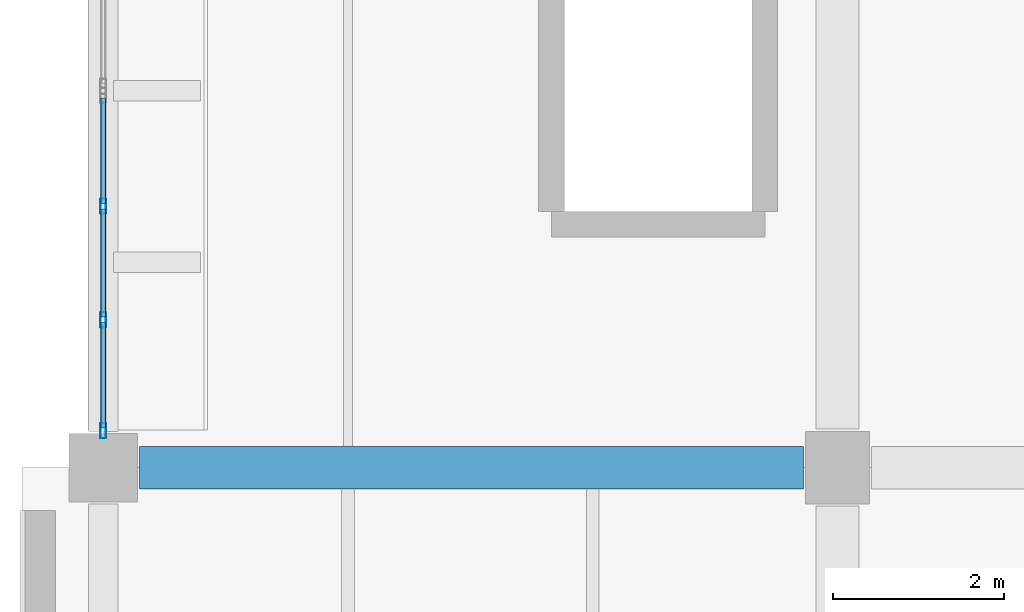
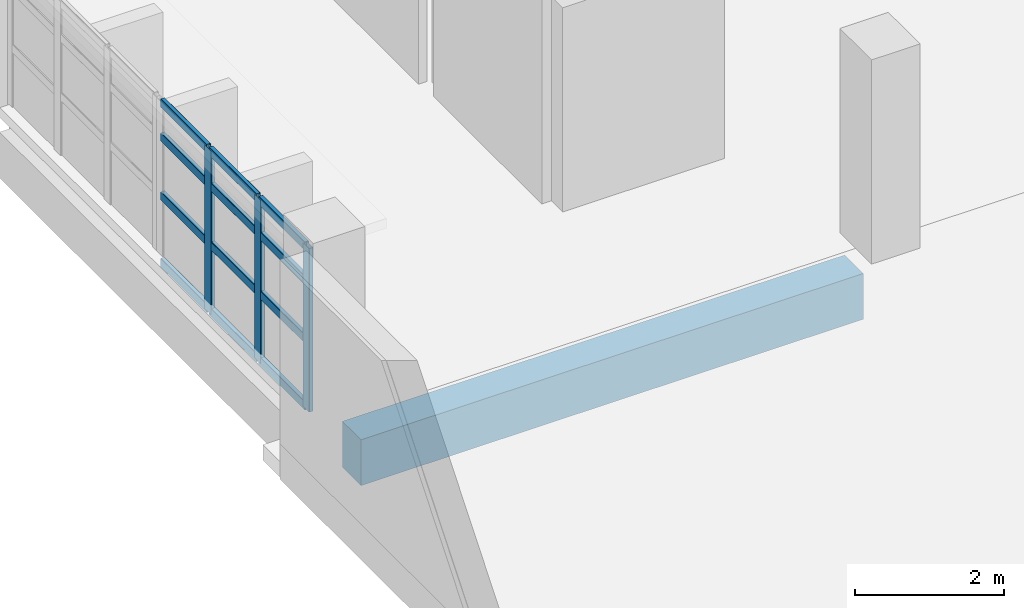
# One storey, part 10 of 75: 15 members, 1 beam, 1 element without a shape of its own.
"""IFC4 building model written with IfcOpenShell, lengths in metres."""

from ifc_helpers import new_model, si_unit, direction, frame, origin, origin_2d, place, context, subcontext, project, spatial, rectangle, hollow_rectangle, extrude, material, material_profile, profile_set, type_object, element, aggregate, save


model = new_model("IFC4")

# Units and contexts
model_context = context("Model", 3, precision=1e-05, world=origin(), true_north=direction((0.0, 1.0)))
body_context = subcontext(model_context, "Body", "Model", "MODEL_VIEW")
ifc_project = project(units=[si_unit("LENGTHUNIT", "METRE"), si_unit("AREAUNIT", "SQUARE_METRE"), si_unit("VOLUMEUNIT", "CUBIC_METRE"), si_unit("PLANEANGLEUNIT", "RADIAN"), si_unit("MASSUNIT", "GRAM", prefix="KILO")], contexts=[model_context])

# Site, building, storey
site_placement = place(None, origin())
site = spatial("IfcSite", under=ifc_project, at=site_placement, CompositionType="ELEMENT")
building_placement = place(site_placement, origin())
building = spatial("IfcBuilding", under=site, at=building_placement, Name="Varnakota Cinema and Media Centre", CompositionType="ELEMENT")
storey_placement = place(building_placement, frame((0.0, 0.0, 8.39990234375)))
storey = spatial("IfcBuildingStorey", under=building, at=storey_placement, Name="L02", CompositionType="ELEMENT", Elevation=8.39990234375)

# Beam
ifc_material_1 = material(Name="Concrete M35", Category="concrete")
ifc_material_profile_1 = material_profile(ifc_material_1, rectangle(XDim=0.5, YDim=0.75, at=origin_2d()), Name="RCB 500x750")
ifc_profile_set_1 = profile_set([ifc_material_profile_1], Name="Concrete M35")
beam_type = type_object("IfcBeamType", Name="BM-RC-500x750", PredefinedType="BEAM", material=ifc_profile_set_1)
beam_placement = place(storey_placement, frame((0.425048828125, 35.199951171875, -0.625), z_axis=(1.0, 0.0, 0.0), x_axis=(0.0, 1.0, 0.0)))
element("IfcBeam", 1, at=beam_placement, inside=storey, type_object=beam_type, Name="L02 girder A-B/5", PredefinedType="BEAM", context=body_context, shape_type="SweptSolid", body=[
    extrude(rectangle(XDim=0.5, YDim=0.75, at=origin_2d()), origin(), (0.0, 0.0, 1.0), 7.77490234375),
])

# Curtain wall, members
ifc_material_2 = material(Name="Thermally broken anodised aluminium AW-6063", Category="aluminium")
curtain_wall_type = type_object("IfcCurtainWallType", Name="CW-STD-399x268", PredefinedType="USERDEFINED", material=ifc_material_2)
curtain_wall_placement = place(storey_placement, origin())
curtain_wall = element("IfcCurtainWall", 2, at=curtain_wall_placement, inside=storey, type_object=curtain_wall_type, Name="L02 curtain wall CW-L02-V5-W-05-2", ObjectType="UNITISED CURTAIN WALL", PredefinedType="USERDEFINED")
ifc_material_3 = material(Name="Thermally broken anodised aluminium AW-6063", Category="aluminium")
ifc_material_profile_2 = material_profile(ifc_material_3, hollow_rectangle(XDim=0.06494140625, YDim=0.179931640625, WallThickness=0.00390625, InnerFilletRadius=0.00390625, OuterFilletRadius=0.008056640625, at=origin_2d()), Name="AL-MULLION 180x65x4")
ifc_profile_set_2 = profile_set([ifc_material_profile_2], Name="Thermally broken anodised aluminium AW-6063")
member_type_1 = type_object("IfcMemberType", Name="CWM-AL-180", PredefinedType="MULLION", material=ifc_profile_set_2)
member_1_placement = place(storey_placement, frame((0.0, 38.26171875, 0.0), z_axis=(0.0, 0.0, 1.0), x_axis=(1.0, 0.0, 0.0)))
member_1 = element("IfcMember", 3, at=member_1_placement, type_object=member_type_1, Name="CW40 mullion 2", PredefinedType="MULLION", context=body_context, shape_type="SweptSolid", body=[
    extrude(hollow_rectangle(XDim=0.06494140625, YDim=0.179931640625, WallThickness=0.00390625, InnerFilletRadius=0.00390625, OuterFilletRadius=0.008056640625, at=origin_2d()), origin(), (0.0, 0.0, 1.0), 2.675048828125),
])
member_2_placement = place(storey_placement, frame((0.0, 36.930908203125, 0.0), z_axis=(0.0, 0.0, 1.0), x_axis=(1.0, 0.0, 0.0)))
member_2 = element("IfcMember", 4, at=member_2_placement, type_object=member_type_1, Name="CW40 mullion 3", PredefinedType="MULLION", context=body_context, shape_type="SweptSolid", body=[
    extrude(hollow_rectangle(XDim=0.06494140625, YDim=0.179931640625, WallThickness=0.00390625, InnerFilletRadius=0.00390625, OuterFilletRadius=0.008056640625, at=origin_2d()), origin(), (0.0, 0.0, 1.0), 2.675048828125),
])
member_3_placement = place(storey_placement, frame((0.0, 35.632568359375, 0.0), z_axis=(0.0, 0.0, 1.0), x_axis=(1.0, 0.0, 0.0)))
member_3 = element("IfcMember", 5, at=member_3_placement, type_object=member_type_1, Name="CW40 mullion 4", PredefinedType="MULLION", context=body_context, shape_type="SweptSolid", body=[
    extrude(hollow_rectangle(XDim=0.06494140625, YDim=0.179931640625, WallThickness=0.00390625, InnerFilletRadius=0.00390625, OuterFilletRadius=0.008056640625, at=origin_2d()), origin(), (0.0, 0.0, 1.0), 2.675048828125),
])
ifc_material_4 = material(Name="Thermally broken anodised aluminium AW-6063", Category="aluminium")
ifc_material_profile_3 = material_profile(ifc_material_4, hollow_rectangle(XDim=0.06494140625, YDim=0.139892578125, WallThickness=0.00390625, InnerFilletRadius=0.00390625, OuterFilletRadius=0.008056640625, at=origin_2d()), Name="AL-TRANSOM 140x65x4")
ifc_profile_set_3 = profile_set([ifc_material_profile_3], Name="Thermally broken anodised aluminium AW-6063")
member_type_2 = type_object("IfcMemberType", Name="CWT-AL-140", PredefinedType="USERDEFINED", material=ifc_profile_set_3)
member_4_placement = place(storey_placement, frame((0.0, 39.527587890625, 0.03271484375), z_axis=(0.0, -1.0, 0.0), x_axis=(1.0, 0.0, 0.0)))
member_4 = element("IfcMember", 6, at=member_4_placement, type_object=member_type_2, Name="CW40 transom 1.1", ObjectType="TRANSOM", PredefinedType="USERDEFINED", context=body_context, shape_type="SweptSolid", body=[
    extrude(hollow_rectangle(XDim=0.06494140625, YDim=0.139892578125, WallThickness=0.00390625, InnerFilletRadius=0.00390625, OuterFilletRadius=0.008056640625, at=origin_2d()), origin(), (0.0, 0.0, 1.0), 1.2333984375),
])
member_5_placement = place(storey_placement, frame((0.0, 39.527587890625, 1.12353515625), z_axis=(0.0, -1.0, 0.0), x_axis=(1.0, 0.0, 0.0)))
member_5 = element("IfcMember", 7, at=member_5_placement, type_object=member_type_2, Name="CW40 transom 1.2", ObjectType="TRANSOM", PredefinedType="USERDEFINED", context=body_context, shape_type="SweptSolid", body=[
    extrude(hollow_rectangle(XDim=0.06494140625, YDim=0.139892578125, WallThickness=0.00390625, InnerFilletRadius=0.00390625, OuterFilletRadius=0.008056640625, at=origin_2d()), origin(), (0.0, 0.0, 1.0), 1.2333984375),
])
member_6_placement = place(storey_placement, frame((0.0, 39.527587890625, 2.086669921875), z_axis=(0.0, -1.0, 0.0), x_axis=(1.0, 0.0, 0.0)))
member_6 = element("IfcMember", 8, at=member_6_placement, type_object=member_type_2, Name="CW40 transom 1.3", ObjectType="TRANSOM", PredefinedType="USERDEFINED", context=body_context, shape_type="SweptSolid", body=[
    extrude(hollow_rectangle(XDim=0.06494140625, YDim=0.139892578125, WallThickness=0.00390625, InnerFilletRadius=0.00390625, OuterFilletRadius=0.008056640625, at=origin_2d()), origin(), (0.0, 0.0, 1.0), 1.2333984375),
])
member_7_placement = place(storey_placement, frame((0.0, 39.527587890625, 2.642578125), z_axis=(0.0, -1.0, 0.0), x_axis=(1.0, 0.0, 0.0)))
member_7 = element("IfcMember", 9, at=member_7_placement, type_object=member_type_2, Name="CW40 transom 1.4", ObjectType="TRANSOM", PredefinedType="USERDEFINED", context=body_context, shape_type="SweptSolid", body=[
    extrude(hollow_rectangle(XDim=0.06494140625, YDim=0.139892578125, WallThickness=0.00390625, InnerFilletRadius=0.00390625, OuterFilletRadius=0.008056640625, at=origin_2d()), origin(), (0.0, 0.0, 1.0), 1.2333984375),
])
member_8_placement = place(storey_placement, frame((0.0, 38.229248046875, 0.03271484375), z_axis=(0.0, -1.0, 0.0), x_axis=(1.0, 0.0, 0.0)))
member_8 = element("IfcMember", 10, at=member_8_placement, type_object=member_type_2, Name="CW40 transom 2.1", ObjectType="TRANSOM", PredefinedType="USERDEFINED", context=body_context, shape_type="SweptSolid", body=[
    extrude(hollow_rectangle(XDim=0.06494140625, YDim=0.139892578125, WallThickness=0.00390625, InnerFilletRadius=0.00390625, OuterFilletRadius=0.008056640625, at=origin_2d()), origin(), (0.0, 0.0, 1.0), 1.265869140625),
])
member_9_placement = place(storey_placement, frame((0.0, 38.229248046875, 1.12353515625), z_axis=(0.0, -1.0, 0.0), x_axis=(1.0, 0.0, 0.0)))
member_9 = element("IfcMember", 11, at=member_9_placement, type_object=member_type_2, Name="CW40 transom 2.2", ObjectType="TRANSOM", PredefinedType="USERDEFINED", context=body_context, shape_type="SweptSolid", body=[
    extrude(hollow_rectangle(XDim=0.06494140625, YDim=0.139892578125, WallThickness=0.00390625, InnerFilletRadius=0.00390625, OuterFilletRadius=0.008056640625, at=origin_2d()), origin(), (0.0, 0.0, 1.0), 1.265869140625),
])
member_10_placement = place(storey_placement, frame((0.0, 38.229248046875, 2.086669921875), z_axis=(0.0, -1.0, 0.0), x_axis=(1.0, 0.0, 0.0)))
member_10 = element("IfcMember", 12, at=member_10_placement, type_object=member_type_2, Name="CW40 transom 2.3", ObjectType="TRANSOM", PredefinedType="USERDEFINED", context=body_context, shape_type="SweptSolid", body=[
    extrude(hollow_rectangle(XDim=0.06494140625, YDim=0.139892578125, WallThickness=0.00390625, InnerFilletRadius=0.00390625, OuterFilletRadius=0.008056640625, at=origin_2d()), origin(), (0.0, 0.0, 1.0), 1.265869140625),
])
member_11_placement = place(storey_placement, frame((0.0, 38.229248046875, 2.642578125), z_axis=(0.0, -1.0, 0.0), x_axis=(1.0, 0.0, 0.0)))
member_11 = element("IfcMember", 13, at=member_11_placement, type_object=member_type_2, Name="CW40 transom 2.4", ObjectType="TRANSOM", PredefinedType="USERDEFINED", context=body_context, shape_type="SweptSolid", body=[
    extrude(hollow_rectangle(XDim=0.06494140625, YDim=0.139892578125, WallThickness=0.00390625, InnerFilletRadius=0.00390625, OuterFilletRadius=0.008056640625, at=origin_2d()), origin(), (0.0, 0.0, 1.0), 1.265869140625),
])
member_12_placement = place(storey_placement, frame((0.0, 36.8984375, 0.03271484375), z_axis=(0.0, -1.0, 0.0), x_axis=(1.0, 0.0, 0.0)))
member_12 = element("IfcMember", 14, at=member_12_placement, type_object=member_type_2, Name="CW40 transom 3.1", ObjectType="TRANSOM", PredefinedType="USERDEFINED", context=body_context, shape_type="SweptSolid", body=[
    extrude(hollow_rectangle(XDim=0.06494140625, YDim=0.139892578125, WallThickness=0.00390625, InnerFilletRadius=0.00390625, OuterFilletRadius=0.008056640625, at=origin_2d()), origin(), (0.0, 0.0, 1.0), 1.2333984375),
])
member_13_placement = place(storey_placement, frame((0.0, 36.8984375, 1.12353515625), z_axis=(0.0, -1.0, 0.0), x_axis=(1.0, 0.0, 0.0)))
member_13 = element("IfcMember", 15, at=member_13_placement, type_object=member_type_2, Name="CW40 transom 3.2", ObjectType="TRANSOM", PredefinedType="USERDEFINED", context=body_context, shape_type="SweptSolid", body=[
    extrude(hollow_rectangle(XDim=0.06494140625, YDim=0.139892578125, WallThickness=0.00390625, InnerFilletRadius=0.00390625, OuterFilletRadius=0.008056640625, at=origin_2d()), origin(), (0.0, 0.0, 1.0), 1.2333984375),
])
member_14_placement = place(storey_placement, frame((0.0, 36.8984375, 2.086669921875), z_axis=(0.0, -1.0, 0.0), x_axis=(1.0, 0.0, 0.0)))
member_14 = element("IfcMember", 16, at=member_14_placement, type_object=member_type_2, Name="CW40 transom 3.3", ObjectType="TRANSOM", PredefinedType="USERDEFINED", context=body_context, shape_type="SweptSolid", body=[
    extrude(hollow_rectangle(XDim=0.06494140625, YDim=0.139892578125, WallThickness=0.00390625, InnerFilletRadius=0.00390625, OuterFilletRadius=0.008056640625, at=origin_2d()), origin(), (0.0, 0.0, 1.0), 1.2333984375),
])
member_15_placement = place(storey_placement, frame((0.0, 36.8984375, 2.642578125), z_axis=(0.0, -1.0, 0.0), x_axis=(1.0, 0.0, 0.0)))
member_15 = element("IfcMember", 17, at=member_15_placement, type_object=member_type_2, Name="CW40 transom 3.4", ObjectType="TRANSOM", PredefinedType="USERDEFINED", context=body_context, shape_type="SweptSolid", body=[
    extrude(hollow_rectangle(XDim=0.06494140625, YDim=0.139892578125, WallThickness=0.00390625, InnerFilletRadius=0.00390625, OuterFilletRadius=0.008056640625, at=origin_2d()), origin(), (0.0, 0.0, 1.0), 1.2333984375),
])
aggregate(curtain_wall, [member_1, member_2, member_3, member_4, member_5, member_6, member_7, member_8, member_9, member_10, member_11, member_12, member_13, member_14, member_15])

save(model, "model.ifc")
